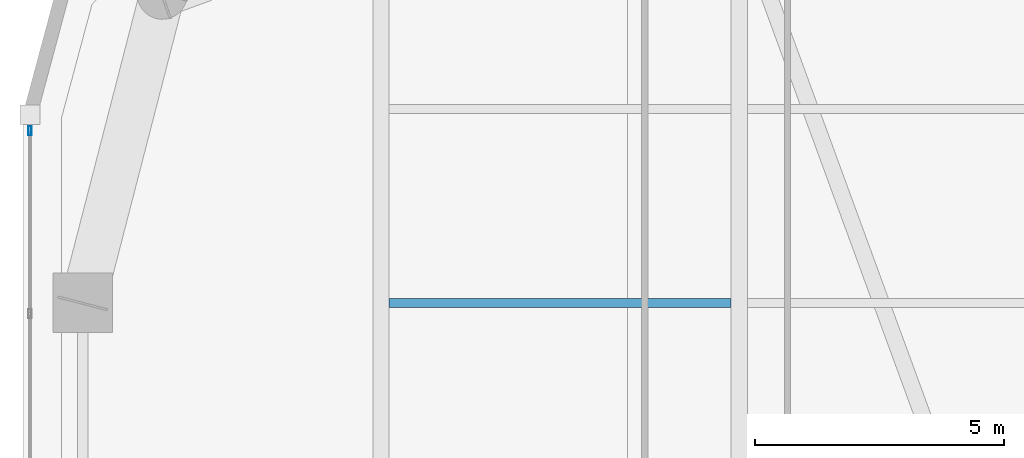
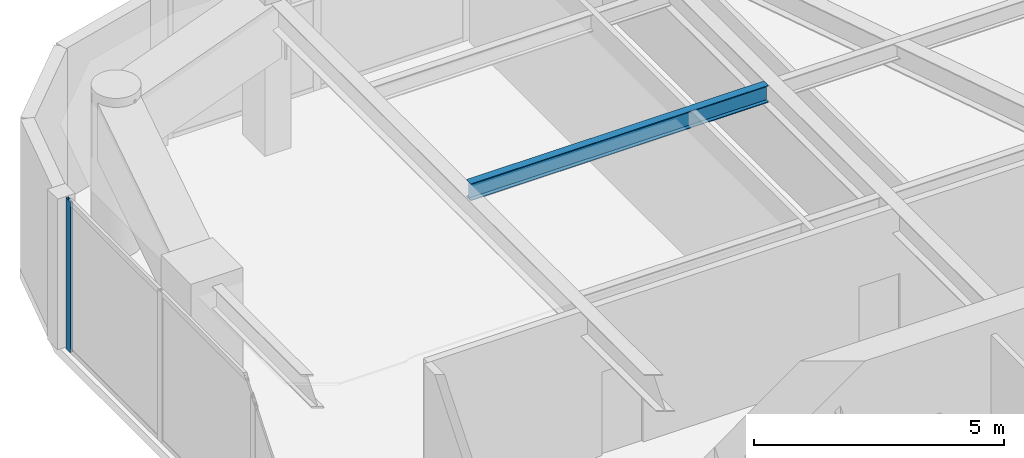
# One storey, part 8 of 21: 1 beam, 1 member, 1 element without a shape of its own.
"""IFC4 building model written with IfcOpenShell, lengths in metres."""

from ifc_helpers import new_model, si_unit, direction, frame, origin, origin_2d, place, context, subcontext, project, spatial, hollow_rectangle, i_section, extrude, material, layer, layer_set, material_profile, profile_set, type_object, element, aggregate, save


model = new_model("IFC4")

# Units and contexts
model_context = context("Model", 3, precision=1e-05, world=origin(), true_north=direction((0.0, 1.0)))
body_context = subcontext(model_context, "Body", "Model", "MODEL_VIEW")
ifc_project = project(units=[si_unit("LENGTHUNIT", "METRE"), si_unit("AREAUNIT", "SQUARE_METRE"), si_unit("VOLUMEUNIT", "CUBIC_METRE"), si_unit("PLANEANGLEUNIT", "RADIAN"), si_unit("MASSUNIT", "GRAM", prefix="KILO")], contexts=[model_context])

# Site, building, storey
site_placement = place(None, origin())
site = spatial("IfcSite", under=ifc_project, at=site_placement, CompositionType="ELEMENT")
building_placement = place(site_placement, origin())
building = spatial("IfcBuilding", under=site, at=building_placement, Name="Kiyonajd Concourse Tower", CompositionType="ELEMENT")
storey_placement = place(building_placement, frame((0.0, 0.0, 227.10009765625)))
storey = spatial("IfcBuildingStorey", under=building, at=storey_placement, Name="L57", CompositionType="ELEMENT", Elevation=227.10009765625)

# Beam
ifc_material_1 = material(Name="Steel ASTM A992 Grade 50", Category="steel")
ifc_material_profile_1 = material_profile(ifc_material_1, i_section(OverallWidth=0.180908203125, OverallDepth=0.4169921875, WebThickness=0.010986328125, FlangeThickness=0.018310546875, at=origin_2d()), Name="W410X85")
ifc_profile_set_1 = profile_set([ifc_material_profile_1], Name="Steel ASTM A992 Grade 50")
beam_type = type_object("IfcBeamType", Name="BM-JST-410", PredefinedType="JOIST", material=ifc_profile_set_1)
beam_placement = place(storey_placement, frame((32.56201171875, 53.39990234375, 3.471435546875), z_axis=(1.0, 0.0, 0.0), x_axis=(0.0, 1.0, 0.0)))
element("IfcBeam", 1, at=beam_placement, inside=storey, type_object=beam_type, Name="L57 Secondary Floor Joist", PredefinedType="JOIST", context=body_context, shape_type="SweptSolid", body=[
    extrude(i_section(OverallWidth=0.180908203125, OverallDepth=0.4169921875, WebThickness=0.010986328125, FlangeThickness=0.018310546875, at=origin_2d()), origin(), (0.0, 0.0, 1.0), 6.8759765625),
])

# Curtain wall, member
ifc_material_2 = material(Name="Thermally Broken Anodised Aluminium", Category="aluminium")
ifc_layer = layer(ifc_material_2, 0.179931640625)
ifc_layer_set = layer_set([ifc_layer], Name="Thermally Broken Anodised Aluminium")
curtain_wall_type = type_object("IfcCurtainWallType", Name="CW-SYS-04", PredefinedType="NOTDEFINED", material=ifc_layer_set)
curtain_wall_placement = place(storey_placement, origin())
curtain_wall = element("IfcCurtainWall", 2, at=curtain_wall_placement, inside=storey, type_object=curtain_wall_type, Name="L57 Unitised Curtain Wall CW4", PredefinedType="NOTDEFINED")
ifc_material_profile_2 = material_profile(ifc_material_2, hollow_rectangle(XDim=0.06494140625, YDim=0.179931640625, WallThickness=0.00390625, at=origin_2d()), Name="MULL-65x180")
ifc_profile_set_2 = profile_set([ifc_material_profile_2], Name="Thermally Broken Anodised Aluminium")
member_type = type_object("IfcMemberType", Name="MB-CW-MULL1", PredefinedType="MULLION", material=ifc_profile_set_2)
member_placement = place(storey_placement, frame((25.340087890625, 56.859130859375, 0.0), z_axis=(0.0, 0.0, 1.0), x_axis=(-1.0, 0.0, 0.0)))
member = element("IfcMember", 3, at=member_placement, type_object=member_type, Name="CW4 mullion 7", PredefinedType="MULLION", context=body_context, shape_type="SweptSolid", body=[
    extrude(hollow_rectangle(XDim=0.06494140625, YDim=0.179931640625, WallThickness=0.00390625, at=origin_2d()), origin(), (0.0, 0.0, 1.0), 3.679931640625),
])
aggregate(curtain_wall, [member])

save(model, "model.ifc")
